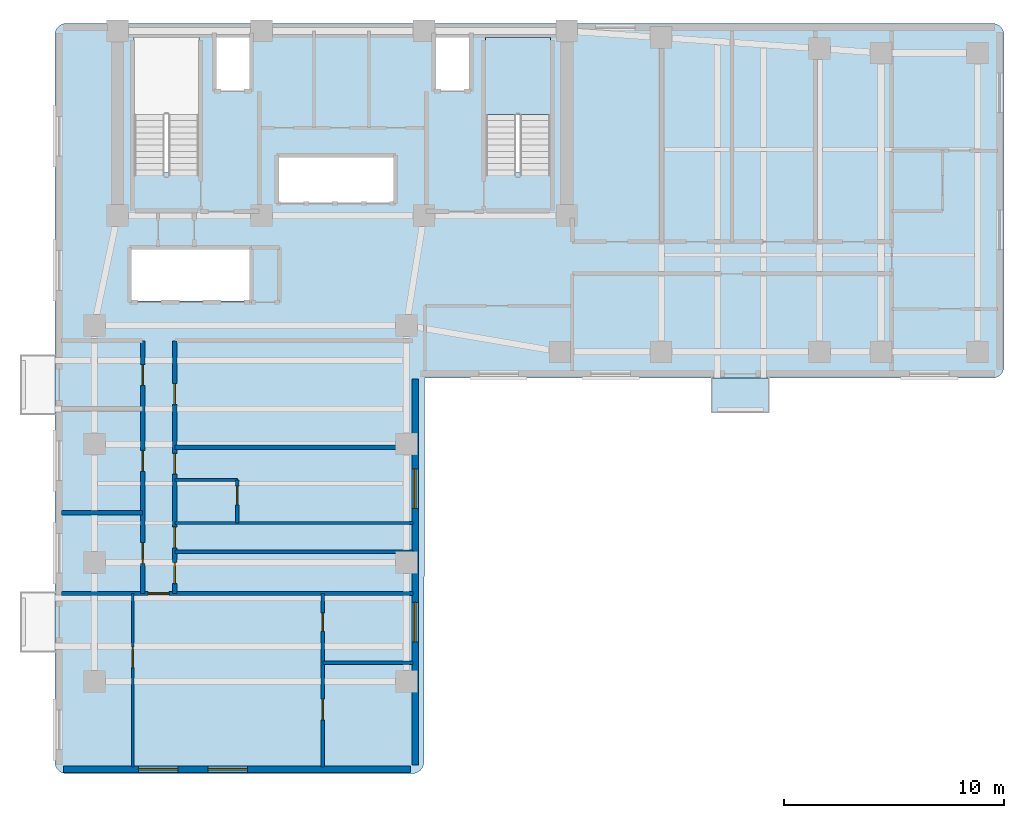
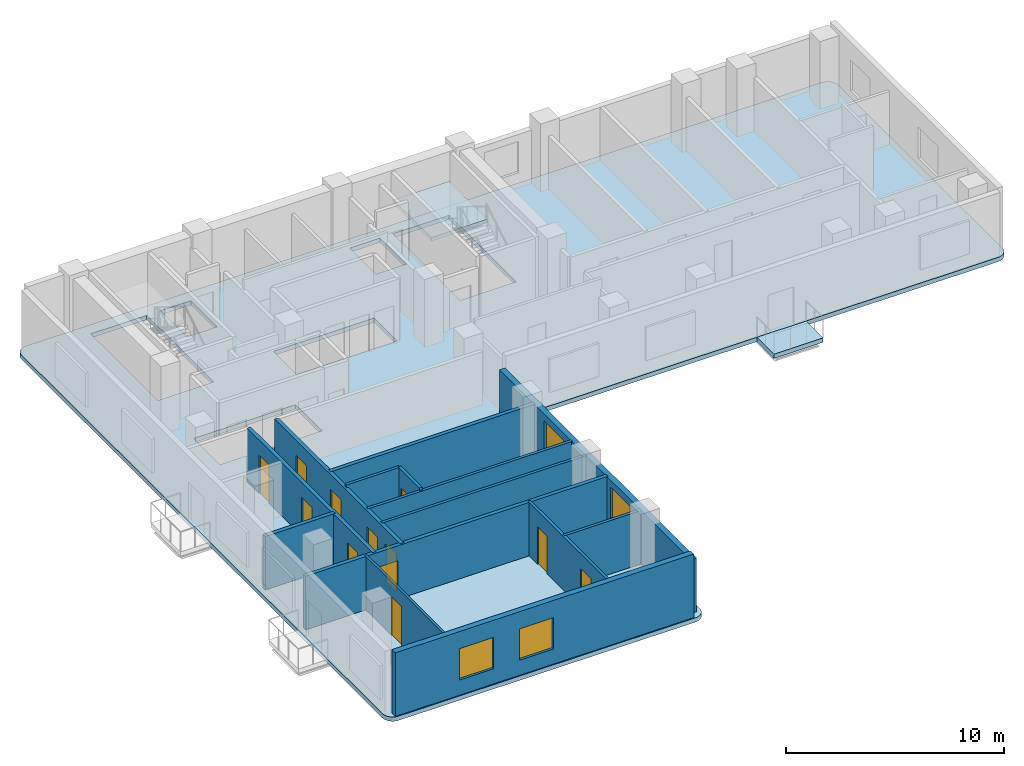
# One storey, part 2 of 7: 14 walls, 12 doors, 4 windows, 3 slabs, 16 openings, 1 element without a shape of its own.
"""IFC4 building model written with IfcOpenShell, lengths in metres."""

from ifc_helpers import new_model, si_unit, direction, frame, frame_2d, origin, place, context, subcontext, project, spatial, polyline, rectangle, outline, extrude, material, layer, layer_set, type_object, element, fill, aggregate, save


model = new_model("IFC4")

# Units and contexts
model_context = context("Model", 3, precision=1e-05, world=origin(), true_north=direction((0.0, 1.0)))
body_context = subcontext(model_context, "Body", "Model", "MODEL_VIEW")
ifc_project = project(units=[si_unit("LENGTHUNIT", "METRE"), si_unit("AREAUNIT", "SQUARE_METRE"), si_unit("VOLUMEUNIT", "CUBIC_METRE"), si_unit("PLANEANGLEUNIT", "RADIAN"), si_unit("MASSUNIT", "GRAM", prefix="KILO")], contexts=[model_context])

# Site, building, storey
site_placement = place(None, origin())
site = spatial("IfcSite", under=ifc_project, at=site_placement, CompositionType="ELEMENT")
building_placement = place(site_placement, origin())
building = spatial("IfcBuilding", under=site, at=building_placement, Name="Kuzgunbayir Cultural Tower", CompositionType="ELEMENT")
storey_placement = place(building_placement, frame((0.0, 0.0, 152.199951171875)))
storey = spatial("IfcBuildingStorey", under=building, at=storey_placement, Name="L44", CompositionType="ELEMENT", Elevation=152.199951171875)

# Slab
ifc_material_1 = material(Name="Concrete C40/50", Category="concrete")
ifc_layer_1 = layer(ifc_material_1, 0.239990234375)
ifc_layer_set_1 = layer_set([ifc_layer_1], Name="Concrete C40/50")
slab_type_1 = type_object("IfcSlabType", Name="SLB-BAL-TRN", PredefinedType="FLOOR", material=ifc_layer_set_1)
slab_1_placement = place(storey_placement, frame((0.0, 0.0, -0.239990234375)))
element("IfcSlab", 1, at=slab_1_placement, inside=storey, type_object=slab_type_1, Name="L44 Projecting Limestone Balcony BAL-L44-WB2", PredefinedType="FLOOR", context=body_context, shape_type="SweptSolid", body=[
    extrude(outline(polyline([(33.5, 24.840087890625), (36.10009765625, 24.840087890625), (36.10009765625, 26.39990234375), (33.5, 26.39990234375), (33.5, 24.840087890625)])), origin(), (0.0, 0.0, 1.0), 0.239990234375),
])

# Stair, slab
stair_type = type_object("IfcStairType", Name="STR-EXIT-CORE", PredefinedType="HALF_TURN_STAIR", material=ifc_material_1)
stair_placement = place(storey_placement, origin())
stair = element("IfcStair", 2, at=stair_placement, inside=storey, type_object=stair_type, Name="L44 ST-2", PredefinedType="HALF_TURN_STAIR")
ifc_layer_2 = layer(ifc_material_1, 0.179931640625)
ifc_layer_set_2 = layer_set([ifc_layer_2], Name="Concrete C40/50")
slab_type_2 = type_object("IfcSlabType", Name="SLB-LANDING-180", PredefinedType="LANDING", material=ifc_layer_set_2)
slab_2_placement = place(storey_placement, frame((0.0, 0.0, 1.699951171875)))
slab_2 = element("IfcSlab", 3, at=slab_2_placement, type_object=slab_type_2, Name="ST-2 landing 1", PredefinedType="LANDING", context=body_context, shape_type="SweptSolid", body=[
    extrude(outline(polyline([(26.159912109375, 38.39990234375), (26.159912109375, 41.89990234375), (23.199951171875, 41.89990234375), (23.199951171875, 38.39990234375), (26.159912109375, 38.39990234375)])), origin(), (0.0, 0.0, 1.0), 0.2001953125),
])
aggregate(stair, [slab_2])

# Slab
ifc_layer_3 = layer(ifc_material_1, 0.239990234375)
ifc_layer_set_3 = layer_set([ifc_layer_3], Name="Concrete C40/50")
slab_type_3 = type_object("IfcSlabType", Name="SLB-TRN-240", PredefinedType="FLOOR", material=ifc_layer_set_3)
slab_3_placement = place(storey_placement, frame((0.0, 0.0, -0.239990234375)))
element("IfcSlab", 4, at=slab_3_placement, inside=storey, type_object=slab_type_3, Name="L44 Tower 1 Floor Slab T1-MAIN", PredefinedType="FLOOR", context=body_context, shape_type="SweptSolid", body=[
    extrude(outline(polyline([(20.39990234375, 8.949951171875), (20.389892578125, 8.840087890625), (20.360107421875, 8.739990234375), (20.31005859375, 8.639892578125), (20.239990234375, 8.56005859375), (20.159912109375, 8.489990234375), (20.06005859375, 8.43994140625), (19.9599609375, 8.409912109375), (19.85009765625, 8.39990234375), (4.14990234375, 8.39990234375), (4.0400390625, 8.409912109375), (3.93994140625, 8.43994140625), (3.840087890625, 8.489990234375), (3.760009765625, 8.56005859375), (3.68994140625, 8.639892578125), (3.639892578125, 8.739990234375), (3.610107421875, 8.840087890625), (3.60009765625, 8.949951171875), (3.60009765625, 42.0), (3.610107421875, 42.110107421875), (3.639892578125, 42.2099609375), (3.68994140625, 42.31005859375), (3.760009765625, 42.389892578125), (3.840087890625, 42.4599609375), (3.93994140625, 42.510009765625), (4.0400390625, 42.5400390625), (4.14990234375, 42.550048828125), (46.25, 42.550048828125), (46.360107421875, 42.5400390625), (46.4599609375, 42.510009765625), (46.56005859375, 42.4599609375), (46.639892578125, 42.389892578125), (46.7099609375, 42.31005859375), (46.760009765625, 42.2099609375), (46.7900390625, 42.110107421875), (46.800048828125, 42.0), (46.800048828125, 26.949951171875), (46.7900390625, 26.840087890625), (46.760009765625, 26.739990234375), (46.7099609375, 26.639892578125), (46.639892578125, 26.56005859375), (46.56005859375, 26.489990234375), (46.4599609375, 26.43994140625), (46.360107421875, 26.409912109375), (46.25, 26.39990234375), (20.429931640625, 26.39990234375), (20.39990234375, 8.949951171875)]), holes=[polyline([(7.199951171875, 35.760009765625), (7.199951171875, 41.89990234375), (10.159912109375, 41.89990234375), (10.159912109375, 35.760009765625), (7.199951171875, 35.760009765625)]), polyline([(23.199951171875, 35.760009765625), (23.199951171875, 41.89990234375), (26.159912109375, 41.89990234375), (26.159912109375, 35.760009765625), (23.199951171875, 35.760009765625)]), polyline([(13.75, 34.39990234375), (13.75, 36.5), (19.080078125, 36.5), (19.080078125, 34.39990234375), (13.75, 34.39990234375)]), polyline([(7.10009765625, 29.89990234375), (7.10009765625, 32.300048828125), (12.5, 32.300048828125), (12.5, 29.89990234375), (7.10009765625, 29.89990234375)]), polyline([(10.89990234375, 39.5), (10.89990234375, 41.89990234375), (12.5, 41.89990234375), (12.5, 39.5), (10.89990234375, 39.5)]), polyline([(20.89990234375, 39.5), (20.89990234375, 41.89990234375), (22.5, 41.89990234375), (22.5, 39.5), (20.89990234375, 39.5)])]), origin(), (0.0, 0.0, 1.0), 0.239990234375),
])

# Wall, openings, windows
ifc_material_2 = material(Name="Anatolian Cream Limestone", Category="masonry")
ifc_layer_4 = layer(ifc_material_2, 0.300048828125)
ifc_layer_set_4 = layer_set([ifc_layer_4], Name="Anatolian Cream Limestone")
wall_type_1 = type_object("IfcWallType", Name="WAL-EXT-STONE-300", PredefinedType="STANDARD", material=ifc_layer_set_4)
wall_1_placement = place(storey_placement, frame((4.0, 8.60009765625, 0.0), z_axis=(0.0, 0.0, 1.0), x_axis=(1.0, 0.0, 0.0)))
wall_1 = element("IfcWall", 5, at=wall_1_placement, inside=storey, type_object=wall_type_1, Name="L44 Wing A South Limestone Wall", PredefinedType="STANDARD", context=body_context, shape_type="SweptSolid", body=[
    extrude(rectangle(XDim=15.800048828125, YDim=0.300048828125, at=frame_2d((7.89990234375, 0.0))), origin(), (0.0, 0.0, 1.0), 3.56005859375),
])
opening_1_placement = place(wall_1_placement, frame((6.570068359375, 0.0, 0.85009765625)))
opening_1 = element("IfcOpeningElement", 6, at=opening_1_placement, cuts=wall_1, Name="Opening WH-18", PredefinedType="OPENING", context=body_context, shape_type="SweptSolid", body=[
    extrude(rectangle(XDim=1.800048828125, YDim=1.75, at=frame_2d((0.89990234375, 0.875))), frame((0.0, 0.16015625, 0.0), z_axis=(0.0, -1.0, 0.0), x_axis=(1.0, 0.0, 0.0)), (0.0, 0.0, 1.0), 0.320068359375),
])
opening_2_placement = place(wall_1_placement, frame((3.39990234375, 0.0, 0.85009765625)))
opening_2 = element("IfcOpeningElement", 7, at=opening_2_placement, cuts=wall_1, Name="Opening WH-18", PredefinedType="OPENING", context=body_context, shape_type="SweptSolid", body=[
    extrude(rectangle(XDim=1.800048828125, YDim=1.75, at=frame_2d((0.89990234375, 0.875))), frame((0.0, 0.16015625, 0.0), z_axis=(0.0, -1.0, 0.0), x_axis=(1.0, 0.0, 0.0)), (0.0, 0.0, 1.0), 0.320068359375),
])
ifc_material_3 = material(Name="Solar-Control Triple Glazing", Category="glass")
window_type = type_object("IfcWindowType", Name="WIN-HOTEL-18", PartitioningType="SINGLE_PANEL", PredefinedType="WINDOW", material=ifc_material_3)
window_1_placement = place(opening_1_placement, origin())
window_1 = element("IfcWindow", 8, at=window_1_placement, inside=storey, type_object=window_type, Name="L44 WAS Facade Window 4", OverallHeight=1.75, OverallWidth=1.800048828125, PartitioningType="SINGLE_PANEL", PredefinedType="WINDOW", context=body_context, shape_type="SweptSolid", body=[
    extrude(rectangle(XDim=1.800048828125, YDim=1.75, at=frame_2d((0.89990234375, 0.875))), frame((0.0, 0.030029296875, 0.0), z_axis=(0.0, -1.0, 0.0), x_axis=(1.0, 0.0, 0.0)), (0.0, 0.0, 1.0), 0.06005859375),
])
fill(opening_1, window_1)
window_2_placement = place(opening_2_placement, origin())
window_2 = element("IfcWindow", 9, at=window_2_placement, inside=storey, type_object=window_type, Name="L44 WAS Facade Window 13", OverallHeight=1.75, OverallWidth=1.800048828125, PartitioningType="SINGLE_PANEL", PredefinedType="WINDOW", context=body_context, shape_type="SweptSolid", body=[
    extrude(rectangle(XDim=1.800048828125, YDim=1.75, at=frame_2d((0.89990234375, 0.875))), frame((0.0, 0.030029296875, 0.0), z_axis=(0.0, -1.0, 0.0), x_axis=(1.0, 0.0, 0.0)), (0.0, 0.0, 1.0), 0.06005859375),
])
fill(opening_2, window_2)

wall_2_placement = place(storey_placement, frame((20.0, 8.800048828125, 0.0), z_axis=(0.0, 0.0, 1.0), x_axis=(0.0, 1.0, 0.0)))
wall_2 = element("IfcWall", 10, at=wall_2_placement, inside=storey, type_object=wall_type_1, Name="L44 Wing A East Limestone Wall", PredefinedType="STANDARD", context=body_context, shape_type="SweptSolid", body=[
    extrude(rectangle(XDim=17.550048828125, YDim=0.300048828125, at=frame_2d((8.77490234375, 0.0))), origin(), (0.0, 0.0, 1.0), 2.989990234375),
])
opening_3_placement = place(wall_2_placement, frame((11.669921875, 0.0, 0.85009765625)))
opening_3 = element("IfcOpeningElement", 11, at=opening_3_placement, cuts=wall_2, Name="Opening WH-18", PredefinedType="OPENING", context=body_context, shape_type="SweptSolid", body=[
    extrude(rectangle(XDim=1.800048828125, YDim=1.75, at=frame_2d((0.89990234375, 0.875))), frame((0.0, 0.16015625, 0.0), z_axis=(0.0, -1.0, 0.0), x_axis=(1.0, 0.0, 0.0)), (0.0, 0.0, 1.0), 0.320068359375),
])
opening_4_placement = place(wall_2_placement, frame((5.60009765625, 0.0, 0.85009765625)))
opening_4 = element("IfcOpeningElement", 12, at=opening_4_placement, cuts=wall_2, Name="Opening WH-18", PredefinedType="OPENING", context=body_context, shape_type="SweptSolid", body=[
    extrude(rectangle(XDim=1.800048828125, YDim=1.75, at=frame_2d((0.89990234375, 0.875))), frame((0.0, 0.16015625, 0.0), z_axis=(0.0, -1.0, 0.0), x_axis=(1.0, 0.0, 0.0)), (0.0, 0.0, 1.0), 0.320068359375),
])
window_3_placement = place(opening_3_placement, origin())
window_3 = element("IfcWindow", 13, at=window_3_placement, inside=storey, type_object=window_type, Name="L44 WAE Facade Window 5", OverallHeight=1.75, OverallWidth=1.800048828125, PartitioningType="SINGLE_PANEL", PredefinedType="WINDOW", context=body_context, shape_type="SweptSolid", body=[
    extrude(rectangle(XDim=1.800048828125, YDim=1.75, at=frame_2d((0.89990234375, 0.875))), frame((0.0, 0.030029296875, 0.0), z_axis=(0.0, -1.0, 0.0), x_axis=(1.0, 0.0, 0.0)), (0.0, 0.0, 1.0), 0.06005859375),
])
fill(opening_3, window_3)
window_4_placement = place(opening_4_placement, origin())
window_4 = element("IfcWindow", 14, at=window_4_placement, inside=storey, type_object=window_type, Name="L44 WAE Facade Window 12", OverallHeight=1.75, OverallWidth=1.800048828125, PartitioningType="SINGLE_PANEL", PredefinedType="WINDOW", context=body_context, shape_type="SweptSolid", body=[
    extrude(rectangle(XDim=1.800048828125, YDim=1.75, at=frame_2d((0.89990234375, 0.875))), frame((0.0, 0.030029296875, 0.0), z_axis=(0.0, -1.0, 0.0), x_axis=(1.0, 0.0, 0.0)), (0.0, 0.0, 1.0), 0.06005859375),
])
fill(opening_4, window_4)

# Wall
ifc_material_4 = material(Name="Acoustic Double-Stud Drywall", Category="gypsum")
ifc_layer_5 = layer(ifc_material_4, 0.14990234375)
ifc_layer_set_5 = layer_set([ifc_layer_5], Name="Acoustic Double-Stud Drywall")
wall_type_2 = type_object("IfcWallType", Name="WAL-PART-ACOUSTIC-150", PredefinedType="PARTITIONING", material=ifc_layer_set_5)
wall_3_placement = place(storey_placement, frame((9.06005859375, 18.5, 0.0), z_axis=(0.0, 0.0, 1.0), x_axis=(1.0, 0.0, 0.0)))
element("IfcWall", 15, at=wall_3_placement, inside=storey, type_object=wall_type_2, Name="L44 Housekeeping North Wall", PredefinedType="PARTITIONING", context=body_context, shape_type="SweptSolid", body=[
    extrude(rectangle(XDim=10.83984375, YDim=0.14990234375, at=frame_2d((5.419921875, 0.0))), origin(), (0.0, 0.0, 1.0), 2.989990234375),
])

# Wall, openings, doors
ifc_material_5 = material(Name="Aerated Concrete Blockwork", Category="masonry")
ifc_layer_6 = layer(ifc_material_5, 0.199951171875)
ifc_layer_set_6 = layer_set([ifc_layer_6], Name="Aerated Concrete Blockwork")
wall_type_3 = type_object("IfcWallType", Name="WAL-PART-FIRE-200", PredefinedType="PARTITIONING", material=ifc_layer_set_6)
wall_4_placement = place(storey_placement, frame((7.60009765625, 16.60009765625, 0.0), z_axis=(0.0, 0.0, 1.0), x_axis=(0.0, 1.0, 0.0)))
wall_4 = element("IfcWall", 16, at=wall_4_placement, inside=storey, type_object=wall_type_3, Name="L44 Wing A West Corridor Wall", PredefinedType="PARTITIONING", context=body_context, shape_type="SweptSolid", body=[
    extrude(rectangle(XDim=11.5, YDim=0.199951171875, at=frame_2d((5.75, 0.0))), origin(), (0.0, 0.0, 1.0), 2.989990234375),
])
opening_5_placement = place(wall_4_placement, frame((1.360107421875, 0.0, 0.0)))
opening_5 = element("IfcOpeningElement", 17, at=opening_5_placement, cuts=wall_4, Name="Opening DI-90", PredefinedType="OPENING", context=body_context, shape_type="SweptSolid", body=[
    extrude(rectangle(XDim=0.949951171875, YDim=2.14990234375, at=frame_2d((0.47509765625, 1.074951171875))), frame((0.0, 0.10986328125, 0.0), z_axis=(0.0, -1.0, 0.0), x_axis=(1.0, 0.0, 0.0)), (0.0, 0.0, 1.0), 0.219970703125),
])
opening_6_placement = place(wall_4_placement, frame((5.56005859375, 0.0, 0.0)))
opening_6 = element("IfcOpeningElement", 18, at=opening_6_placement, cuts=wall_4, Name="Opening DI-90", PredefinedType="OPENING", context=body_context, shape_type="SweptSolid", body=[
    extrude(rectangle(XDim=0.949951171875, YDim=2.14990234375, at=frame_2d((0.47509765625, 1.074951171875))), frame((0.0, 0.10986328125, 0.0), z_axis=(0.0, -1.0, 0.0), x_axis=(1.0, 0.0, 0.0)), (0.0, 0.0, 1.0), 0.219970703125),
])
opening_7_placement = place(wall_4_placement, frame((9.469970703125, 0.0, 0.0)))
opening_7 = element("IfcOpeningElement", 19, at=opening_7_placement, cuts=wall_4, Name="Opening DI-90", PredefinedType="OPENING", context=body_context, shape_type="SweptSolid", body=[
    extrude(rectangle(XDim=0.949951171875, YDim=2.14990234375, at=frame_2d((0.47509765625, 1.074951171875))), frame((0.0, 0.10986328125, 0.0), z_axis=(0.0, -1.0, 0.0), x_axis=(1.0, 0.0, 0.0)), (0.0, 0.0, 1.0), 0.219970703125),
])
ifc_material_6 = material(Name="Veneered Oak Single Leaf", Category="wood")
door_type_1 = type_object("IfcDoorType", Name="DR-INT-90", OperationType="NOTDEFINED", PredefinedType="DOOR", material=ifc_material_6)
door_1_placement = place(opening_5_placement, origin())
door_1 = element("IfcDoor", 20, at=door_1_placement, inside=storey, type_object=door_type_1, Name="L44 Wellness Consultation Studio 1 Door", OperationType="SINGLE_SWING_LEFT", OverallHeight=2.14990234375, OverallWidth=0.949951171875, PredefinedType="DOOR", context=body_context, shape_type="SweptSolid", body=[
    extrude(rectangle(XDim=0.949951171875, YDim=2.14990234375, at=frame_2d((0.47509765625, 1.074951171875))), frame((0.0, 0.02490234375, 0.0), z_axis=(0.0, -1.0, 0.0), x_axis=(1.0, 0.0, 0.0)), (0.0, 0.0, 1.0), 0.050048828125),
])
fill(opening_5, door_1)
door_2_placement = place(opening_6_placement, origin())
door_2 = element("IfcDoor", 21, at=door_2_placement, inside=storey, type_object=door_type_1, Name="L44 Wellness Consultation Studio 2 Door", OperationType="SINGLE_SWING_RIGHT", OverallHeight=2.14990234375, OverallWidth=0.949951171875, PredefinedType="DOOR", context=body_context, shape_type="SweptSolid", body=[
    extrude(rectangle(XDim=0.949951171875, YDim=2.14990234375, at=frame_2d((0.47509765625, 1.074951171875))), frame((0.0, 0.02490234375, 0.0), z_axis=(0.0, -1.0, 0.0), x_axis=(1.0, 0.0, 0.0)), (0.0, 0.0, 1.0), 0.050048828125),
])
fill(opening_6, door_2)
door_3_placement = place(opening_7_placement, origin())
door_3 = element("IfcDoor", 22, at=door_3_placement, inside=storey, type_object=door_type_1, Name="L44 Wellness Consultation Studio 3 Door", OperationType="SINGLE_SWING_LEFT", OverallHeight=2.14990234375, OverallWidth=0.949951171875, PredefinedType="DOOR", context=body_context, shape_type="SweptSolid", body=[
    extrude(rectangle(XDim=0.949951171875, YDim=2.14990234375, at=frame_2d((0.47509765625, 1.074951171875))), frame((0.0, 0.02490234375, 0.0), z_axis=(0.0, -1.0, 0.0), x_axis=(1.0, 0.0, 0.0)), (0.0, 0.0, 1.0), 0.050048828125),
])
fill(opening_7, door_3)

wall_5_placement = place(storey_placement, frame((9.06005859375, 16.60009765625, 0.0), z_axis=(0.0, 0.0, 1.0), x_axis=(0.0, 1.0, 0.0)))
wall_5 = element("IfcWall", 23, at=wall_5_placement, inside=storey, type_object=wall_type_3, Name="L44 Wing A East Corridor Wall", PredefinedType="PARTITIONING", context=body_context, shape_type="SweptSolid", body=[
    extrude(rectangle(XDim=11.5, YDim=0.199951171875, at=frame_2d((5.75, 0.0))), origin(), (0.0, 0.0, 1.0), 2.989990234375),
])
opening_8_placement = place(wall_5_placement, frame((0.449951171875, 0.0, 0.0)))
opening_8 = element("IfcOpeningElement", 24, at=opening_8_placement, cuts=wall_5, Name="Opening DI-90", PredefinedType="OPENING", context=body_context, shape_type="SweptSolid", body=[
    extrude(rectangle(XDim=0.949951171875, YDim=2.14990234375, at=frame_2d((0.47509765625, 1.074951171875))), frame((0.0, 0.10986328125, 0.0), z_axis=(0.0, -1.0, 0.0), x_axis=(1.0, 0.0, 0.0)), (0.0, 0.0, 1.0), 0.219970703125),
])
opening_9_placement = place(wall_5_placement, frame((2.080078125, 0.0, 0.0)))
opening_9 = element("IfcOpeningElement", 25, at=opening_9_placement, cuts=wall_5, Name="Opening DW-95", PredefinedType="OPENING", context=body_context, shape_type="SweptSolid", body=[
    extrude(rectangle(XDim=0.949951171875, YDim=2.10009765625, at=frame_2d((0.47509765625, 1.050048828125))), frame((0.0, 0.10986328125, 0.0), z_axis=(0.0, -1.0, 0.0), x_axis=(1.0, 0.0, 0.0)), (0.0, 0.0, 1.0), 0.219970703125),
])
opening_10_placement = place(wall_5_placement, frame((8.60009765625, 0.0, 0.0)))
opening_10 = element("IfcOpeningElement", 26, at=opening_10_placement, cuts=wall_5, Name="Opening DI-90", PredefinedType="OPENING", context=body_context, shape_type="SweptSolid", body=[
    extrude(rectangle(XDim=0.949951171875, YDim=2.14990234375, at=frame_2d((0.47509765625, 1.074951171875))), frame((0.0, 0.10986328125, 0.0), z_axis=(0.0, -1.0, 0.0), x_axis=(1.0, 0.0, 0.0)), (0.0, 0.0, 1.0), 0.219970703125),
])
opening_11_placement = place(wall_5_placement, frame((5.429931640625, 0.0, 0.0)))
opening_11 = element("IfcOpeningElement", 27, at=opening_11_placement, cuts=wall_5, Name="Opening DR-APT-60", PredefinedType="OPENING", context=body_context, shape_type="SweptSolid", body=[
    extrude(rectangle(XDim=0.949951171875, YDim=2.14990234375, at=frame_2d((0.47509765625, 1.074951171875))), frame((0.0, 0.10986328125, 0.0), z_axis=(0.0, -1.0, 0.0), x_axis=(1.0, 0.0, 0.0)), (0.0, 0.0, 1.0), 0.219970703125),
])
ifc_material_7 = material(Name="Acoustic Fire Timber Leaf", Category="wood")
door_type_2 = type_object("IfcDoorType", Name="DR-APT-60", OperationType="NOTDEFINED", PredefinedType="DOOR", material=ifc_material_7)
door_4_placement = place(opening_11_placement, origin())
door_4 = element("IfcDoor", 28, at=door_4_placement, inside=storey, type_object=door_type_2, Name="L44 Guest Suite E1 Entrance", OperationType="SINGLE_SWING_RIGHT", OverallHeight=2.14990234375, OverallWidth=0.949951171875, PredefinedType="DOOR", context=body_context, shape_type="SweptSolid", body=[
    extrude(rectangle(XDim=0.949951171875, YDim=2.14990234375, at=frame_2d((0.47509765625, 1.074951171875))), frame((0.0, 0.02490234375, 0.0), z_axis=(0.0, -1.0, 0.0), x_axis=(1.0, 0.0, 0.0)), (0.0, 0.0, 1.0), 0.050048828125),
])
fill(opening_11, door_4)
door_5_placement = place(opening_8_placement, origin())
door_5 = element("IfcDoor", 29, at=door_5_placement, inside=storey, type_object=door_type_1, Name="L44 Housekeeping Room Door", OperationType="SINGLE_SWING_RIGHT", OverallHeight=2.14990234375, OverallWidth=0.949951171875, PredefinedType="DOOR", context=body_context, shape_type="SweptSolid", body=[
    extrude(rectangle(XDim=0.949951171875, YDim=2.14990234375, at=frame_2d((0.47509765625, 1.074951171875))), frame((0.0, 0.02490234375, 0.0), z_axis=(0.0, -1.0, 0.0), x_axis=(1.0, 0.0, 0.0)), (0.0, 0.0, 1.0), 0.050048828125),
])
fill(opening_8, door_5)
door_6_placement = place(opening_10_placement, origin())
door_6 = element("IfcDoor", 30, at=door_6_placement, inside=storey, type_object=door_type_1, Name="L44 Wellness Consultation Studio E1 Door", OperationType="SINGLE_SWING_RIGHT", OverallHeight=2.14990234375, OverallWidth=0.949951171875, PredefinedType="DOOR", context=body_context, shape_type="SweptSolid", body=[
    extrude(rectangle(XDim=0.949951171875, YDim=2.14990234375, at=frame_2d((0.47509765625, 1.074951171875))), frame((0.0, 0.02490234375, 0.0), z_axis=(0.0, -1.0, 0.0), x_axis=(1.0, 0.0, 0.0)), (0.0, 0.0, 1.0), 0.050048828125),
])
fill(opening_10, door_6)
ifc_material_8 = material(Name="Laminate Moisture-Resistant Leaf", Category="wood")
door_type_3 = type_object("IfcDoorType", Name="DR-WET-95", OperationType="NOTDEFINED", PredefinedType="DOOR", material=ifc_material_8)
door_7_placement = place(opening_9_placement, origin())
door_7 = element("IfcDoor", 31, at=door_7_placement, inside=storey, type_object=door_type_3, Name="L44 Accessible WC Door", OperationType="SINGLE_SWING_LEFT", OverallHeight=2.10009765625, OverallWidth=0.949951171875, PredefinedType="DOOR", context=body_context, shape_type="SweptSolid", body=[
    extrude(rectangle(XDim=0.949951171875, YDim=2.10009765625, at=frame_2d((0.47509765625, 1.050048828125))), frame((0.0, 0.02490234375, 0.0), z_axis=(0.0, -1.0, 0.0), x_axis=(1.0, 0.0, 0.0)), (0.0, 0.0, 1.0), 0.050048828125),
])
fill(opening_9, door_7)

# Wall, opening, door
wall_6_placement = place(storey_placement, frame((3.89990234375, 16.60009765625, 0.0), z_axis=(0.0, 0.0, 1.0), x_axis=(1.0, 0.0, 0.0)))
wall_6 = element("IfcWall", 32, at=wall_6_placement, inside=storey, type_object=wall_type_3, Name="L44 South Cross Partition", PredefinedType="PARTITIONING", context=body_context, shape_type="SweptSolid", body=[
    extrude(rectangle(XDim=16.0, YDim=0.199951171875, at=frame_2d((8.0, 0.0))), origin(), (0.0, 0.0, 1.0), 2.989990234375),
])
opening_12_placement = place(wall_6_placement, frame((3.949951171875, 0.0, 0.0)))
opening_12 = element("IfcOpeningElement", 33, at=opening_12_placement, cuts=wall_6, Name="Opening DR-APT-60", PredefinedType="OPENING", context=body_context, shape_type="SweptSolid", body=[
    extrude(rectangle(XDim=0.949951171875, YDim=2.14990234375, at=frame_2d((0.47509765625, 1.074951171875))), frame((0.0, 0.10986328125, 0.0), z_axis=(0.0, -1.0, 0.0), x_axis=(1.0, 0.0, 0.0)), (0.0, 0.0, 1.0), 0.219970703125),
])
door_8_placement = place(opening_12_placement, origin())
door_8 = element("IfcDoor", 34, at=door_8_placement, inside=storey, type_object=door_type_2, Name="L44 Diplomatic Suite Entrance", OperationType="SINGLE_SWING_RIGHT", OverallHeight=2.14990234375, OverallWidth=0.949951171875, PredefinedType="DOOR", context=body_context, shape_type="SweptSolid", body=[
    extrude(rectangle(XDim=0.949951171875, YDim=2.14990234375, at=frame_2d((0.47509765625, 1.074951171875))), frame((0.0, 0.02490234375, 0.0), z_axis=(0.0, -1.0, 0.0), x_axis=(1.0, 0.0, 0.0)), (0.0, 0.0, 1.0), 0.050048828125),
])
fill(opening_12, door_8)

# Walls
wall_7_placement = place(storey_placement, frame((3.89990234375, 20.280029296875, 0.0), z_axis=(0.0, 0.0, 1.0), x_axis=(1.0, 0.0, 0.0)))
element("IfcWall", 35, at=wall_7_placement, inside=storey, type_object=wall_type_3, Name="L44 West Party Wall 1", PredefinedType="PARTITIONING", context=body_context, shape_type="SweptSolid", body=[
    extrude(rectangle(XDim=3.7001953125, YDim=0.199951171875, at=frame_2d((1.85009765625, 0.0))), origin(), (0.0, 0.0, 1.0), 2.989990234375),
])
wall_8_placement = place(storey_placement, frame((9.06005859375, 23.260009765625, 0.0), z_axis=(0.0, 0.0, 1.0), x_axis=(1.0, 0.0, 0.0)))
element("IfcWall", 36, at=wall_8_placement, inside=storey, type_object=wall_type_3, Name="L44 Suite E1 Sub-Party Wall", PredefinedType="PARTITIONING", context=body_context, shape_type="SweptSolid", body=[
    extrude(rectangle(XDim=10.83984375, YDim=0.199951171875, at=frame_2d((5.419921875, 0.0))), origin(), (0.0, 0.0, 1.0), 2.989990234375),
])

# Wall, opening, door
ifc_material_9 = material(Name="Framed Gypsum Partition", Category="gypsum")
ifc_layer_7 = layer(ifc_material_9, 0.1201171875)
ifc_layer_set_7 = layer_set([ifc_layer_7], Name="Framed Gypsum Partition")
wall_type_4 = type_object("IfcWallType", Name="WAL-PART-INT-120", PredefinedType="PARTITIONING", material=ifc_layer_set_7)
wall_9_placement = place(storey_placement, frame((7.14990234375, 8.699951171875, 0.0), z_axis=(0.0, 0.0, 1.0), x_axis=(0.0, 1.0, 0.0)))
wall_9 = element("IfcWall", 37, at=wall_9_placement, inside=storey, type_object=wall_type_4, Name="L44 Diplomatic Suite Bedroom Wall", PredefinedType="PARTITIONING", context=body_context, shape_type="SweptSolid", body=[
    extrude(rectangle(XDim=7.900146484375, YDim=0.1201171875, at=frame_2d((3.9501953125, 0.0))), origin(), (0.0, 0.0, 1.0), 2.989990234375),
])
opening_13_placement = place(wall_9_placement, frame((4.52001953125, 0.0, 0.0)))
opening_13 = element("IfcOpeningElement", 38, at=opening_13_placement, cuts=wall_9, Name="Opening DI-90", PredefinedType="OPENING", context=body_context, shape_type="SweptSolid", body=[
    extrude(rectangle(XDim=0.949951171875, YDim=2.14990234375, at=frame_2d((0.47509765625, 1.074951171875))), frame((0.0, 0.070068359375, 0.0), z_axis=(0.0, -1.0, 0.0), x_axis=(1.0, 0.0, 0.0)), (0.0, 0.0, 1.0), 0.14013671875),
])
door_9_placement = place(opening_13_placement, origin())
door_9 = element("IfcDoor", 39, at=door_9_placement, inside=storey, type_object=door_type_1, Name="L44 Diplomatic Bedroom Door", OperationType="SINGLE_SWING_LEFT", OverallHeight=2.14990234375, OverallWidth=0.949951171875, PredefinedType="DOOR", context=body_context, shape_type="SweptSolid", body=[
    extrude(rectangle(XDim=0.949951171875, YDim=2.14990234375, at=frame_2d((0.47509765625, 1.074951171875))), frame((0.0, 0.02490234375, 0.0), z_axis=(0.0, -1.0, 0.0), x_axis=(1.0, 0.0, 0.0)), (0.0, 0.0, 1.0), 0.050048828125),
])
fill(opening_13, door_9)

# Wall, openings, doors
ifc_material_10 = material(Name="Moisture-Resistant Tile Partition", Category="gypsum")
ifc_layer_8 = layer(ifc_material_10, 0.14990234375)
ifc_layer_set_8 = layer_set([ifc_layer_8], Name="Moisture-Resistant Tile Partition")
wall_type_5 = type_object("IfcWallType", Name="WAL-PART-WET-150", PredefinedType="PARTITIONING", material=ifc_layer_set_8)
wall_10_placement = place(storey_placement, frame((15.800048828125, 8.699951171875, 0.0), z_axis=(0.0, 0.0, 1.0), x_axis=(0.0, 1.0, 0.0)))
wall_10 = element("IfcWall", 40, at=wall_10_placement, inside=storey, type_object=wall_type_5, Name="L44 Diplomatic Suite Service Wall", PredefinedType="PARTITIONING", context=body_context, shape_type="SweptSolid", body=[
    extrude(rectangle(XDim=7.900146484375, YDim=0.14990234375, at=frame_2d((3.9501953125, 0.0))), origin(), (0.0, 0.0, 1.0), 2.989990234375),
])
opening_14_placement = place(wall_10_placement, frame((2.139892578125, 0.0, 0.0)))
opening_14 = element("IfcOpeningElement", 41, at=opening_14_placement, cuts=wall_10, Name="Opening DI-90", PredefinedType="OPENING", context=body_context, shape_type="SweptSolid", body=[
    extrude(rectangle(XDim=0.949951171875, YDim=2.14990234375, at=frame_2d((0.47509765625, 1.074951171875))), frame((0.0, 0.0849609375, 0.0), z_axis=(0.0, -1.0, 0.0), x_axis=(1.0, 0.0, 0.0)), (0.0, 0.0, 1.0), 0.169921875),
])
opening_15_placement = place(wall_10_placement, frame((6.169921875, 0.0, 0.0)))
opening_15 = element("IfcOpeningElement", 42, at=opening_15_placement, cuts=wall_10, Name="Opening DW-85", PredefinedType="OPENING", context=body_context, shape_type="SweptSolid", body=[
    extrude(rectangle(XDim=0.85009765625, YDim=2.10009765625, at=frame_2d((0.425048828125, 1.050048828125))), frame((0.0, 0.0849609375, 0.0), z_axis=(0.0, -1.0, 0.0), x_axis=(1.0, 0.0, 0.0)), (0.0, 0.0, 1.0), 0.169921875),
])
door_10_placement = place(opening_14_placement, origin())
door_10 = element("IfcDoor", 43, at=door_10_placement, inside=storey, type_object=door_type_1, Name="L44 Diplomatic Kitchen Door", OperationType="SINGLE_SWING_RIGHT", OverallHeight=2.14990234375, OverallWidth=0.949951171875, PredefinedType="DOOR", context=body_context, shape_type="SweptSolid", body=[
    extrude(rectangle(XDim=0.949951171875, YDim=2.14990234375, at=frame_2d((0.47509765625, 1.074951171875))), frame((0.0, 0.02490234375, 0.0), z_axis=(0.0, -1.0, 0.0), x_axis=(1.0, 0.0, 0.0)), (0.0, 0.0, 1.0), 0.050048828125),
])
fill(opening_14, door_10)
door_type_4 = type_object("IfcDoorType", Name="DR-WET-85", OperationType="NOTDEFINED", PredefinedType="DOOR", material=ifc_material_8)
door_11_placement = place(opening_15_placement, origin())
door_11 = element("IfcDoor", 44, at=door_11_placement, inside=storey, type_object=door_type_4, Name="L44 Diplomatic Bathroom Door", OperationType="SINGLE_SWING_LEFT", OverallHeight=2.10009765625, OverallWidth=0.85009765625, PredefinedType="DOOR", context=body_context, shape_type="SweptSolid", body=[
    extrude(rectangle(XDim=0.85009765625, YDim=2.10009765625, at=frame_2d((0.425048828125, 1.050048828125))), frame((0.0, 0.02490234375, 0.0), z_axis=(0.0, -1.0, 0.0), x_axis=(1.0, 0.0, 0.0)), (0.0, 0.0, 1.0), 0.050048828125),
])
fill(opening_15, door_11)

# Walls
wall_11_placement = place(storey_placement, frame((15.800048828125, 13.449951171875, 0.0), z_axis=(0.0, 0.0, 1.0), x_axis=(1.0, 0.0, 0.0)))
element("IfcWall", 45, at=wall_11_placement, inside=storey, type_object=wall_type_5, Name="L44 Diplomatic Suite Bath Kitchen Divider", PredefinedType="PARTITIONING", context=body_context, shape_type="SweptSolid", body=[
    extrude(rectangle(XDim=4.099853515625, YDim=0.14990234375, at=frame_2d((2.0498046875, 0.0))), origin(), (0.0, 0.0, 1.0), 2.989990234375),
])
wall_12_placement = place(storey_placement, frame((9.06005859375, 19.81005859375, 0.0), z_axis=(0.0, 0.0, 1.0), x_axis=(1.0, 0.0, 0.0)))
element("IfcWall", 46, at=wall_12_placement, inside=storey, type_object=wall_type_5, Name="L44 Accessible WC North Wall", PredefinedType="PARTITIONING", context=body_context, shape_type="SweptSolid", body=[
    extrude(rectangle(XDim=10.83984375, YDim=0.14990234375, at=frame_2d((5.419921875, 0.0))), origin(), (0.0, 0.0, 1.0), 2.989990234375),
])
wall_13_placement = place(storey_placement, frame((9.06005859375, 21.760009765625, 0.0), z_axis=(0.0, 0.0, 1.0), x_axis=(1.0, 0.0, 0.0)))
element("IfcWall", 47, at=wall_13_placement, inside=storey, type_object=wall_type_5, Name="L44 Suite E1 En-Suite North Wall", PredefinedType="PARTITIONING", context=body_context, shape_type="SweptSolid", body=[
    extrude(rectangle(XDim=2.849853515625, YDim=0.14990234375, at=frame_2d((1.4248046875, 0.0))), origin(), (0.0, 0.0, 1.0), 3.150146484375),
])

# Wall, opening, door
wall_14_placement = place(storey_placement, frame((11.909912109375, 19.81005859375, 0.0), z_axis=(0.0, 0.0, 1.0), x_axis=(0.0, 1.0, 0.0)))
wall_14 = element("IfcWall", 48, at=wall_14_placement, inside=storey, type_object=wall_type_5, Name="L44 Suite E1 En-Suite East Wall", PredefinedType="PARTITIONING", context=body_context, shape_type="SweptSolid", body=[
    extrude(rectangle(XDim=1.949951171875, YDim=0.14990234375, at=frame_2d((0.97509765625, 0.0))), origin(), (0.0, 0.0, 1.0), 3.150146484375),
])
opening_16_placement = place(wall_14_placement, frame((0.820068359375, 0.0, 0.0)))
opening_16 = element("IfcOpeningElement", 49, at=opening_16_placement, cuts=wall_14, Name="Opening DW-85", PredefinedType="OPENING", context=body_context, shape_type="SweptSolid", body=[
    extrude(rectangle(XDim=0.85009765625, YDim=2.10009765625, at=frame_2d((0.425048828125, 1.050048828125))), frame((0.0, 0.0849609375, 0.0), z_axis=(0.0, -1.0, 0.0), x_axis=(1.0, 0.0, 0.0)), (0.0, 0.0, 1.0), 0.169921875),
])
door_12_placement = place(opening_16_placement, origin())
door_12 = element("IfcDoor", 50, at=door_12_placement, inside=storey, type_object=door_type_4, Name="L44 Suite E1 En-Suite Door", OperationType="SINGLE_SWING_LEFT", OverallHeight=2.10009765625, OverallWidth=0.85009765625, PredefinedType="DOOR", context=body_context, shape_type="SweptSolid", body=[
    extrude(rectangle(XDim=0.85009765625, YDim=2.10009765625, at=frame_2d((0.425048828125, 1.050048828125))), frame((0.0, 0.02490234375, 0.0), z_axis=(0.0, -1.0, 0.0), x_axis=(1.0, 0.0, 0.0)), (0.0, 0.0, 1.0), 0.050048828125),
])
fill(opening_16, door_12)

save(model, "model.ifc")
